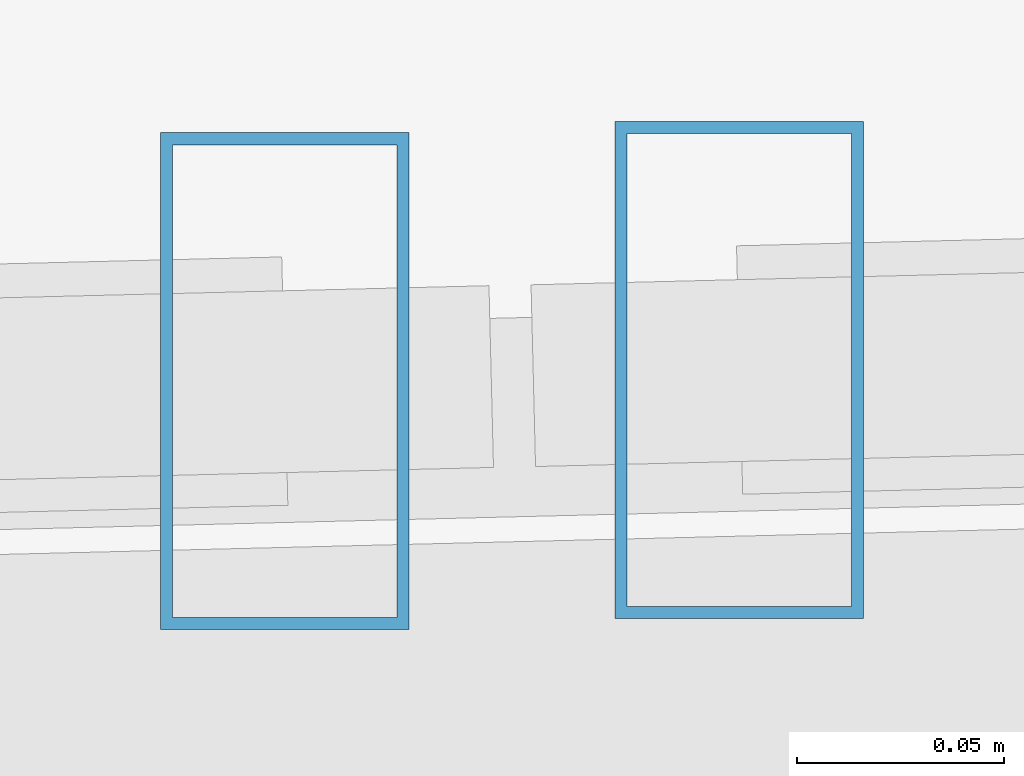
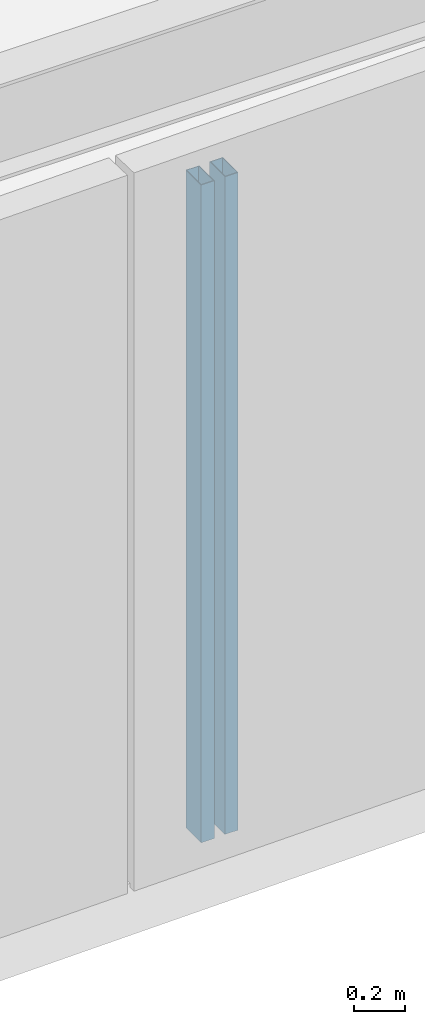
# One storey, part 15 of 48: 2 members, 2 elements without a shape of their own.
"""IFC4 building model written with IfcOpenShell, lengths in metres."""

import ifcopenshell
import ifcopenshell.guid

model = None  # the IFC model being written
_history = None  # IfcOwnerHistory: only IFC2X3 demands one
_inside = {}  # id of a spatial element -> (the spatial element, [elements in it])
_under = {}  # id of a project, library or spatial element -> (it, [spatial elements below it])
_declared = {}  # id of a project -> (the project, [libraries it declares])
_typed = {}  # id of a type object -> (the type object, [elements of that type])
_made_of = {}  # id of a material, layer set ... -> (it, [elements and type objects made of it])


def new_model(schema):
    """Start an empty IFC model of exactly this schema.

    Asked for "IFC4X3", IfcOpenShell would pick the latest addendum, in which some entities
    have other attributes; the version numbers below select the first issue.
    IFC2X3 requires an IfcOwnerHistory on every rooted entity: one is made here for all.
    """
    global model, _history
    if schema == "IFC4X3":
        model = ifcopenshell.file(schema_version=(4, 3, 0, 0))
    else:
        model = ifcopenshell.file(schema=schema)
    _inside.clear()
    _under.clear()
    _declared.clear()
    _typed.clear()
    _made_of.clear()
    _history = None
    if model.schema == "IFC2X3":
        org = make("IfcOrganization", Name="unknown")
        user = make(
            "IfcPersonAndOrganization",
            ThePerson=make("IfcPerson", FamilyName="unknown"),
            TheOrganization=org,
        )
        app = make(
            "IfcApplication",
            ApplicationDeveloper=org,
            Version="unknown",
            ApplicationFullName="unknown",
            ApplicationIdentifier="unknown",
        )
        _history = make(
            "IfcOwnerHistory",
            OwningUser=user,
            OwningApplication=app,
            ChangeAction="ADDED",
            CreationDate=0,
        )
    return model


def make(cls, **values):
    """One entity of the class cls with the attributes given. An attribute that is None is left unset."""
    return model.create_entity(
        cls, **{name: value for name, value in values.items() if value is not None}
    )


def rooted(cls, **values):
    """An entity with a GlobalId (a new one), such as an element, a storey or a relation."""
    return make(cls, GlobalId=ifcopenshell.guid.new(), OwnerHistory=_history, **values)


def si_unit(unit_type, name, prefix=None):
    """IfcSIUnit, for example si_unit("LENGTHUNIT", "METRE", prefix="MILLI")."""
    return make("IfcSIUnit", UnitType=unit_type, Prefix=prefix, Name=name)


def assignment(units):
    """IfcUnitAssignment: the units of a project."""
    return None if units is None else make("IfcUnitAssignment", Units=units)


def point(xyz):
    """IfcCartesianPoint."""
    return None if xyz is None else make("IfcCartesianPoint", Coordinates=xyz)


def direction(xyz):
    """IfcDirection."""
    return None if xyz is None else make("IfcDirection", DirectionRatios=xyz)


def frame(location, z_axis=None, x_axis=None):
    """IfcAxis2Placement3D, a coordinate frame: its origin and axes. An axis left out is left unset."""
    return make(
        "IfcAxis2Placement3D",
        Location=point(location),
        Axis=direction(z_axis),
        RefDirection=direction(x_axis),
    )


def frame_2d(location, x_axis=None):
    """IfcAxis2Placement2D, a coordinate frame in the plane: its origin and x axis."""
    return make(
        "IfcAxis2Placement2D", Location=point(location), RefDirection=direction(x_axis)
    )


def origin():
    """The frame at (0, 0, 0) with its axes left unset."""
    return frame((0.0, 0.0, 0.0))


def origin_2d():
    """The frame at (0, 0) in the plane with its x axis left unset."""
    return frame_2d((0.0, 0.0))


def place(relative_to, where):
    """IfcLocalPlacement: puts the frame where relative to a parent placement (None: the world)."""
    return make(
        "IfcLocalPlacement", PlacementRelTo=relative_to, RelativePlacement=where
    )


def context(
    kind, dimensions, precision=None, world=None, true_north=None, identifier=None
):
    """IfcGeometricRepresentationContext, for example the 3D "Model" context."""
    return make(
        "IfcGeometricRepresentationContext",
        ContextIdentifier=identifier,
        ContextType=kind,
        CoordinateSpaceDimension=dimensions,
        Precision=precision,
        WorldCoordinateSystem=world,
        TrueNorth=true_north,
    )


def subcontext(parent, identifier, kind, view, scale=None):
    """IfcGeometricRepresentationSubContext, for example "Body" below "Model"."""
    return make(
        "IfcGeometricRepresentationSubContext",
        ContextIdentifier=identifier,
        ContextType=kind,
        ParentContext=parent,
        TargetScale=scale,
        TargetView=view,
    )


def project(units=None, contexts=None):
    """IfcProject with its units and contexts."""
    return rooted(
        "IfcProject",
        Name="project",
        RepresentationContexts=contexts,
        UnitsInContext=assignment(units),
    )


def spatial(cls, under=None, at=None, **own):
    """A site, building, storey or space (cls), placed at a placement, below another one or the project."""
    s = rooted(cls, ObjectPlacement=at, **own)
    if under is not None:
        _under.setdefault(under.id(), (under, []))[1].append(s)
    return s


def profile(cls, at=None, kind="AREA", **sizes):
    """A parametric profile (cls). Its sizes go by their IFC names, for example OverallWidth=200.0."""
    return make(cls, ProfileType=kind, Position=at, **sizes)


def hollow_rectangle(**sizes):
    """IfcRectangleHollowProfileDef."""
    return profile("IfcRectangleHollowProfileDef", **sizes)


def extrude(swept, where, along, depth):
    """IfcExtrudedAreaSolid: the profile swept, set in the frame where, extruded along a direction by depth."""
    return make(
        "IfcExtrudedAreaSolid",
        SweptArea=swept,
        Position=where,
        ExtrudedDirection=direction(along),
        Depth=depth,
    )


def shape(context_of_items, identifier, shape_type, items):
    """IfcShapeRepresentation: the items that make up one representation, for example the "Body"."""
    return make(
        "IfcShapeRepresentation",
        ContextOfItems=context_of_items,
        RepresentationIdentifier=identifier,
        RepresentationType=shape_type,
        Items=items,
    )


def source(mapping_origin, context_of_items, identifier, shape_type, items):
    """IfcRepresentationMap: a shape defined once, which mapped items show again and again."""
    return make(
        "IfcRepresentationMap",
        MappingOrigin=mapping_origin,
        MappedRepresentation=shape(context_of_items, identifier, shape_type, items),
    )


def transform(
    local_origin,
    x_axis=None,
    y_axis=None,
    z_axis=None,
    scale=None,
    scale2=None,
    scale3=None,
    uniform=True,
):
    """IfcCartesianTransformationOperator3D, or its non-uniform kind. x_axis, y_axis, z_axis: its Axis1, 2, 3."""
    if uniform:
        return make(
            "IfcCartesianTransformationOperator3D",
            Axis1=direction(x_axis),
            Axis2=direction(y_axis),
            LocalOrigin=point(local_origin),
            Scale=scale,
            Axis3=direction(z_axis),
        )
    return make(
        "IfcCartesianTransformationOperator3DnonUniform",
        Axis1=direction(x_axis),
        Axis2=direction(y_axis),
        LocalOrigin=point(local_origin),
        Scale=scale,
        Axis3=direction(z_axis),
        Scale2=scale2,
        Scale3=scale3,
    )


def mapped(mapping_source, mapping_target):
    """IfcMappedItem: shows the shape of a source again, moved by a transform."""
    return make(
        "IfcMappedItem", MappingSource=mapping_source, MappingTarget=mapping_target
    )


def material(Name=None, Category=None):
    """IfcMaterial."""
    return make("IfcMaterial", Name=Name, Category=Category)


def material_profile(
    of_material, cross_section, Name=None, Category=None, Priority=None
):
    """IfcMaterialProfile: a cross section and its material."""
    return make(
        "IfcMaterialProfile",
        Name=Name,
        Material=of_material,
        Profile=cross_section,
        Priority=Priority,
        Category=Category,
    )


def profile_set(profiles, Name=None, composite=None):
    """IfcMaterialProfileSet."""
    return make(
        "IfcMaterialProfileSet",
        Name=Name,
        MaterialProfiles=profiles,
        CompositeProfile=composite,
    )


def made_of(thing, what):
    """Note that an element or type object is made of a material, layer set ...; save() writes the relation."""
    if what is not None:
        _made_of.setdefault(what.id(), (what, []))[1].append(thing)
    return thing


def type_object(cls, material=None, **own):
    """A type object (cls), such as IfcWallType, which elements share."""
    return made_of(rooted(cls, **own), material)


def type_shapes(of_type, sources):
    """Give a type object the sources (RepresentationMaps) that its elements show as mapped items."""
    of_type.RepresentationMaps = sources


def element(
    cls,
    number,
    at=None,
    inside=None,
    cuts=None,
    type_object=None,
    material=None,
    context=None,
    identifier="Body",
    shape_type=None,
    held_by="IfcProductDefinitionShape",
    body=None,
    shapes=None,
    **own,
):
    """One element of the class cls, such as IfcWall. Its Tag is "e" and its number.

    at: its placement. inside: the storey or other place that contains it. cuts: it is an
    opening in that element (IfcRelVoidsElement). A single representation is given by context,
    identifier, shape_type and body (its items); several are given by shapes. held_by: the class
    of the entity that holds the representations. save() writes the other relations.
    """
    e = rooted(cls, Tag="e%d" % number, ObjectPlacement=at, **own)
    if body is not None:
        shapes = [shape(context, identifier, shape_type, body)]
    if shapes is not None:
        e.Representation = make(held_by, Representations=shapes)
    if inside is not None:
        _inside.setdefault(inside.id(), (inside, []))[1].append(e)
    if cuts is not None:
        rooted(
            "IfcRelVoidsElement", RelatingBuildingElement=cuts, RelatedOpeningElement=e
        )
    if type_object is not None:
        _typed.setdefault(type_object.id(), (type_object, []))[1].append(e)
    return made_of(e, material)


def aggregate(whole, parts):
    """IfcRelAggregates: a whole, such as a stair, and the parts it consists of."""
    return rooted("IfcRelAggregates", RelatingObject=whole, RelatedObjects=parts)


def save(model, path):
    """Write the relations noted so far, then the file.

    IfcRelAggregates (storeys below a building ...), IfcRelContainedInSpatialStructure (elements
    in a storey), IfcRelDefinesByType, IfcRelAssociatesMaterial and IfcRelDeclares: one each for
    every whole, place, type object, material and project.
    """
    for whole, parts in _under.values():
        aggregate(whole, parts)
    for where, things in _inside.values():
        rooted(
            "IfcRelContainedInSpatialStructure",
            RelatedElements=things,
            RelatingStructure=where,
        )
    for kind, things in _typed.values():
        rooted("IfcRelDefinesByType", RelatedObjects=things, RelatingType=kind)
    for what, things in _made_of.values():
        rooted("IfcRelAssociatesMaterial", RelatedObjects=things, RelatingMaterial=what)
    for by, libraries in _declared.values():
        rooted("IfcRelDeclares", RelatingContext=by, RelatedDefinitions=libraries)
    model.write(path)


model = new_model("IFC4")

# Units and contexts
model_context = context("Model", 3, precision=1e-05, world=origin(), true_north=direction((0.0, 1.0)))
body_context = subcontext(model_context, "Body", "Model", "MODEL_VIEW")
ifc_project = project(units=[si_unit("LENGTHUNIT", "METRE"), si_unit("AREAUNIT", "SQUARE_METRE"), si_unit("VOLUMEUNIT", "CUBIC_METRE"), si_unit("PLANEANGLEUNIT", "RADIAN"), si_unit("MASSUNIT", "GRAM", prefix="KILO")], contexts=[model_context])

# Site, building, storey
site_placement = place(None, origin())
site = spatial("IfcSite", under=ifc_project, at=site_placement, CompositionType="ELEMENT")
building_placement = place(site_placement, origin())
building = spatial("IfcBuilding", under=site, at=building_placement, Name="Caelisora Broadcast Tower", CompositionType="ELEMENT")
storey_placement = place(building_placement, frame((0.0, 0.0, 300.0)))
storey = spatial("IfcBuildingStorey", under=building, at=storey_placement, Name="L79", CompositionType="ELEMENT", Elevation=300.0)

# Curtain wall, member
ifc_material_1 = material(Name="Unitised Aluminium Insulated Shadow-Box Spandrel Curtain Wall", Category="aluminium")
curtain_wall_type = type_object("IfcCurtainWallType", Name="CW-SP3", PredefinedType="NOTDEFINED", material=ifc_material_1)
curtain_wall_1_placement = place(storey_placement, origin())
curtain_wall_1 = element("IfcCurtainWall", 1, at=curtain_wall_1_placement, inside=storey, type_object=curtain_wall_type, Name="L79 curtain wall CW-SP3", PredefinedType="NOTDEFINED")
ifc_material_2 = material(Name="Aluminium 6063-T6 Anodised Terracotta Bronze", Category="aluminium")
ifc_material_profile = material_profile(ifc_material_2, hollow_rectangle(XDim=0.06005859375, YDim=0.1201171875, WallThickness=0.0029296875, at=origin_2d()), Name="Aluminium 6063-T6 Anodised Terracotta Bronze")
ifc_profile_set = profile_set([ifc_material_profile], Name="Aluminium 6063-T6 Anodised Terracotta Bronze")
member_type = type_object("IfcMemberType", Name="CWM-04", PredefinedType="MULLION", material=ifc_profile_set)
shared_shape = source(origin(), body_context, "Body", "SweptSolid", [
    extrude(hollow_rectangle(XDim=0.06005859375, YDim=0.1201171875, WallThickness=0.0029296875, at=origin_2d()), origin(), (0.0, 0.0, 1.0), 3.14990234375),
])
type_shapes(member_type, [shared_shape])
member_1_placement = place(storey_placement, frame((44.931884765625, 9.228759765625, 0.0), z_axis=(0.0, 0.0, 1.0), x_axis=(1.0, 0.0, 0.0)))
member_1 = element("IfcMember", 2, at=member_1_placement, type_object=member_type, Name="L79-CW-B05 mullion #3", PredefinedType="MULLION", context=body_context, shape_type="MappedRepresentation", body=[
    mapped(shared_shape, transform((0.0, 0.0, 0.0), scale=1.0)),
])
aggregate(curtain_wall_1, [member_1])

curtain_wall_2_placement = place(storey_placement, origin())
curtain_wall_2 = element("IfcCurtainWall", 3, at=curtain_wall_2_placement, inside=storey, type_object=curtain_wall_type, Name="L79 curtain wall CW-SP3", PredefinedType="NOTDEFINED")
member_2_placement = place(storey_placement, frame((44.822021484375, 9.22607421875, 0.0), z_axis=(0.0, 0.0, 1.0), x_axis=(1.0, 0.0, 0.0)))
member_2 = element("IfcMember", 4, at=member_2_placement, type_object=member_type, Name="L79-CW-B06 mullion #0", PredefinedType="MULLION", context=body_context, shape_type="MappedRepresentation", body=[
    mapped(shared_shape, transform((0.0, 0.0, 0.0), scale=1.0)),
])
aggregate(curtain_wall_2, [member_2])

save(model, "model.ifc")
